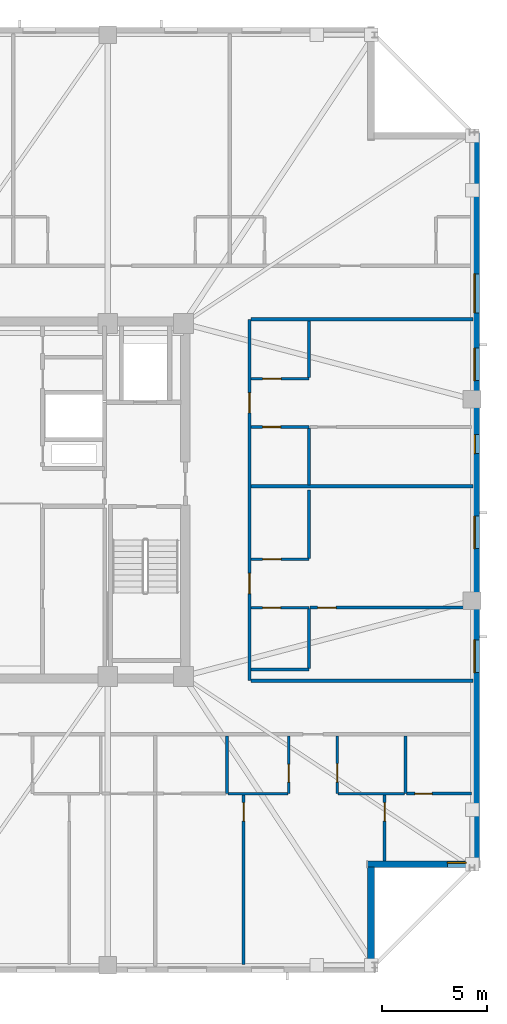
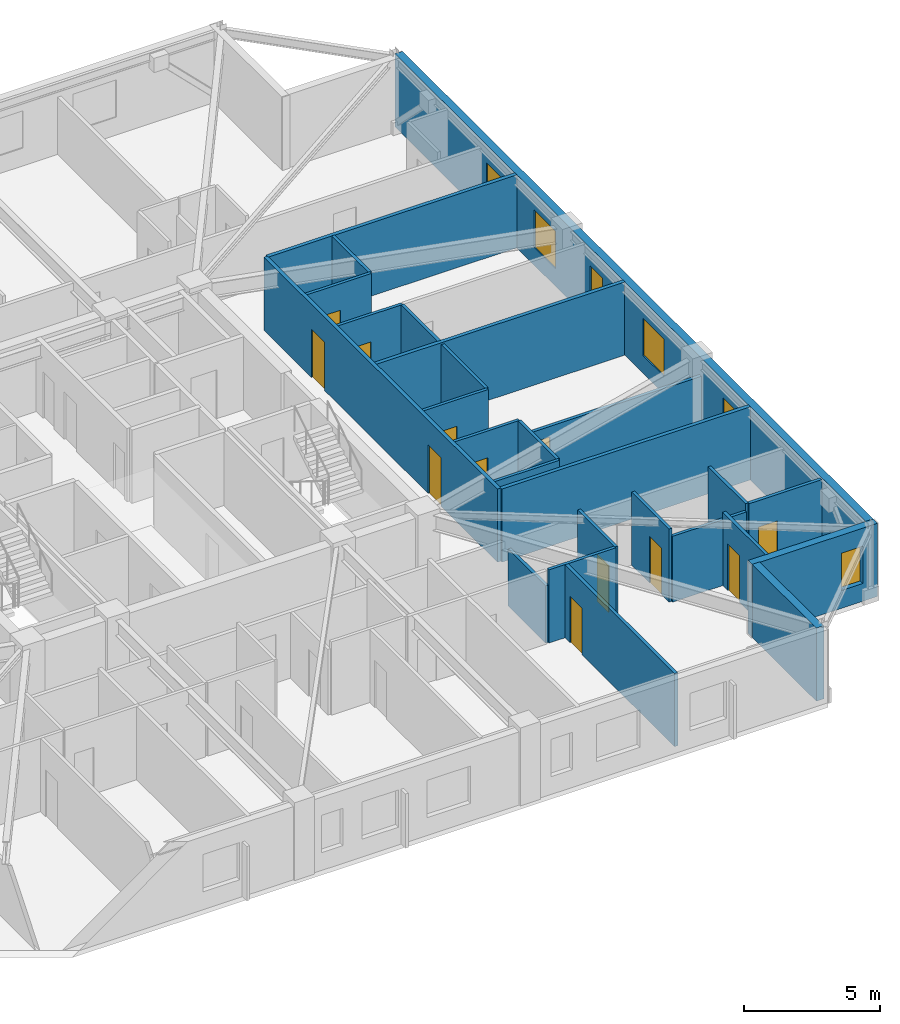
# One storey, part 10 of 16: 26 walls, 12 doors, 6 windows, 18 openings.
"""IFC4 building model written with IfcOpenShell, lengths in metres."""

from ifc_helpers import new_model, si_unit, direction, frame, frame_2d, origin, place, context, subcontext, project, spatial, rectangle, extrude, material, layer, layer_set, type_object, element, fill, save


model = new_model("IFC4")

# Units and contexts
model_context = context("Model", 3, precision=1e-05, world=origin(), true_north=direction((0.0, 1.0)))
body_context = subcontext(model_context, "Body", "Model", "MODEL_VIEW")
ifc_project = project(units=[si_unit("LENGTHUNIT", "METRE"), si_unit("AREAUNIT", "SQUARE_METRE"), si_unit("VOLUMEUNIT", "CUBIC_METRE"), si_unit("PLANEANGLEUNIT", "RADIAN"), si_unit("MASSUNIT", "GRAM", prefix="KILO")], contexts=[model_context])

# Site, building, storey
site_placement = place(None, origin())
site = spatial("IfcSite", under=ifc_project, at=site_placement, CompositionType="ELEMENT")
building_placement = place(site_placement, origin())
building = spatial("IfcBuilding", under=site, at=building_placement, Name="Cairnveth Concourse Tower", CompositionType="ELEMENT")
storey_placement = place(building_placement, frame((0.0, 0.0, 255.0)))
storey = spatial("IfcBuildingStorey", under=building, at=storey_placement, Name="L70", CompositionType="ELEMENT", Elevation=255.0)

# Wall, openings, doors
ifc_material_1 = material(Name="Gypsum Plasterboard Partition", Category="gypsum")
ifc_layer_1 = layer(ifc_material_1, 0.159912109375)
ifc_layer_set_1 = layer_set([ifc_layer_1], Name="Gypsum Plasterboard Partition")
wall_type_1 = type_object("IfcWallType", Name="ACOUSTIC PARTY WALL 180", PredefinedType="PARTITIONING", material=ifc_layer_set_1)
wall_1_placement = place(storey_placement, frame((63.550048828125, 30.39990234375, 0.0), z_axis=(0.0, 0.0, 1.0), x_axis=(0.0, 1.0, 0.0)))
wall_1 = element("IfcWall", 1, at=wall_1_placement, inside=storey, type_object=wall_type_1, Name="Interior Wall IW-L70-038", PredefinedType="PARTITIONING", context=body_context, shape_type="SweptSolid", body=[
    extrude(rectangle(XDim=17.2001953125, YDim=0.159912109375, at=frame_2d((8.60009765625, 0.0))), origin(), (0.0, 0.0, 1.0), 3.2900390625),
])
opening_1_placement = place(wall_1_placement, frame((4.14501953125, 0.0, 0.0)))
opening_1 = element("IfcOpeningElement", 2, at=opening_1_placement, cuts=wall_1, Name="Opening ID10", PredefinedType="OPENING", context=body_context, shape_type="SweptSolid", body=[
    extrude(rectangle(XDim=0.9599609375, YDim=2.179931640625, at=frame_2d((0.47998046875, 1.08984375))), frame((0.0, 0.08984375, 0.0), z_axis=(0.0, -1.0, 0.0), x_axis=(1.0, 0.0, 0.0)), (0.0, 0.0, 1.0), 0.179931640625),
])
opening_2_placement = place(wall_1_placement, frame((12.7451171875, 0.0, 0.0)))
opening_2 = element("IfcOpeningElement", 3, at=opening_2_placement, cuts=wall_1, Name="Opening ID10", PredefinedType="OPENING", context=body_context, shape_type="SweptSolid", body=[
    extrude(rectangle(XDim=0.9599609375, YDim=2.179931640625, at=frame_2d((0.47998046875, 1.08984375))), frame((0.0, 0.08984375, 0.0), z_axis=(0.0, -1.0, 0.0), x_axis=(1.0, 0.0, 0.0)), (0.0, 0.0, 1.0), 0.179931640625),
])
ifc_material_2 = material(Name="Solid Core Hardwood Timber Leaf", Category="wood")
door_type_1 = type_object("IfcDoorType", Name="FLAT ENTRANCE DOOR 960X2150", OperationType="NOTDEFINED", PredefinedType="DOOR", material=ifc_material_2)
door_1_placement = place(opening_1_placement, origin())
door_1 = element("IfcDoor", 4, at=door_1_placement, inside=storey, type_object=door_type_1, Name="Apartment L70E1 Entrance Door", OperationType="SINGLE_SWING_LEFT", OverallHeight=2.179931640625, OverallWidth=0.9599609375, PredefinedType="DOOR", context=body_context, shape_type="SweptSolid", body=[
    extrude(rectangle(XDim=0.9599609375, YDim=2.179931640625, at=frame_2d((0.47998046875, 1.08984375))), frame((0.0, 0.02490234375, 0.0), z_axis=(0.0, -1.0, 0.0), x_axis=(1.0, 0.0, 0.0)), (0.0, 0.0, 1.0), 0.050048828125),
])
fill(opening_1, door_1)
door_2_placement = place(opening_2_placement, origin())
door_2 = element("IfcDoor", 5, at=door_2_placement, inside=storey, type_object=door_type_1, Name="Apartment L70E2 Entrance Door", OperationType="SINGLE_SWING_LEFT", OverallHeight=2.179931640625, OverallWidth=0.9599609375, PredefinedType="DOOR", context=body_context, shape_type="SweptSolid", body=[
    extrude(rectangle(XDim=0.9599609375, YDim=2.179931640625, at=frame_2d((0.47998046875, 1.08984375))), frame((0.0, 0.02490234375, 0.0), z_axis=(0.0, -1.0, 0.0), x_axis=(1.0, 0.0, 0.0)), (0.0, 0.0, 1.0), 0.050048828125),
])
fill(opening_2, door_2)

# Walls
for number, where, z_axis, x_axis, name in (
    (6, (63.614990234375, 30.39990234375, 0.0), (0.0, 0.0, 1.0), (1.0, 0.0, 0.0), "Interior Wall IW-L70-041"),
    (7, (63.614990234375, 47.60009765625, 0.0), (0.0, 0.0, 1.0), (1.0, 0.0, 0.0), "Interior Wall IW-L70-042"),
):
    element("IfcWall", number, at=place(storey_placement, frame(where, z_axis=z_axis, x_axis=x_axis)), inside=storey, type_object=wall_type_1, Name=name, PredefinedType="PARTITIONING", context=body_context, shape_type="SweptSolid", body=[
        extrude(rectangle(XDim=10.580078125, YDim=0.159912109375, at=frame_2d((5.2900390625, 0.0))), origin(), (0.0, 0.0, 1.0), 3.2900390625),
    ])
wall_2_placement = place(storey_placement, frame((63.6298828125, 39.64990234375, 0.0), z_axis=(0.0, 0.0, 1.0), x_axis=(1.0, 0.0, 0.0)))
element("IfcWall", 8, at=wall_2_placement, inside=storey, type_object=wall_type_1, Name="Interior Wall IW-L70-104", PredefinedType="PARTITIONING", context=body_context, shape_type="SweptSolid", body=[
    extrude(rectangle(XDim=10.565185546875, YDim=0.159912109375, at=frame_2d((5.28271484375, 0.0))), origin(), (0.0, 0.0, 1.0), 3.2900390625),
])

# Wall, opening, door
ifc_layer_2 = layer(ifc_material_1, 0.139892578125)
ifc_layer_set_2 = layer_set([ifc_layer_2], Name="Gypsum Plasterboard Partition")
wall_type_2 = type_object("IfcWallType", Name="GYPSUM STUD PARTITION 140", PredefinedType="PARTITIONING", material=ifc_layer_set_2)
wall_3_placement = place(storey_placement, frame((63.267578125, 16.8798828125, 0.0), z_axis=(0.0, 0.0, 1.0), x_axis=(0.0, 1.0, 0.0)))
wall_3 = element("IfcWall", 9, at=wall_3_placement, inside=storey, type_object=wall_type_2, Name="Interior Wall IW-L70-070", PredefinedType="PARTITIONING", context=body_context, shape_type="SweptSolid", body=[
    extrude(rectangle(XDim=8.087646484375, YDim=0.139892578125, at=frame_2d((4.0439453125, 0.0))), origin(), (0.0, 0.0, 1.0), 3.2900390625),
])
opening_3_placement = place(wall_3_placement, frame((6.827392578125, 0.0, 0.0)))
opening_3 = element("IfcOpeningElement", 10, at=opening_3_placement, cuts=wall_3, Name="Opening ID18", PredefinedType="OPENING", context=body_context, shape_type="SweptSolid", body=[
    extrude(rectangle(XDim=0.8798828125, YDim=2.10009765625, at=frame_2d((0.43994140625, 1.050048828125))), frame((0.0, 0.079833984375, 0.0), z_axis=(0.0, -1.0, 0.0), x_axis=(1.0, 0.0, 0.0)), (0.0, 0.0, 1.0), 0.159912109375),
])
door_type_2 = type_object("IfcDoorType", Name="INTERIOR SINGLE DOOR 880X2100", OperationType="NOTDEFINED", PredefinedType="DOOR", material=ifc_material_2)
door_3_placement = place(opening_3_placement, origin())
door_3 = element("IfcDoor", 11, at=door_3_placement, inside=storey, type_object=door_type_2, Name="L70S3 Master Bedroom Door", OperationType="SINGLE_SWING_RIGHT", OverallHeight=2.10009765625, OverallWidth=0.8798828125, PredefinedType="DOOR", context=body_context, shape_type="SweptSolid", body=[
    extrude(rectangle(XDim=0.8798828125, YDim=2.10009765625, at=frame_2d((0.43994140625, 1.050048828125))), frame((0.0, 0.02490234375, 0.0), z_axis=(0.0, -1.0, 0.0), x_axis=(1.0, 0.0, 0.0)), (0.0, 0.0, 1.0), 0.050048828125),
])
fill(opening_3, door_3)

wall_4_placement = place(storey_placement, frame((69.97998046875, 21.804931640625, 0.0), z_axis=(0.0, 0.0, 1.0), x_axis=(0.0, 1.0, 0.0)))
wall_4 = element("IfcWall", 12, at=wall_4_placement, inside=storey, type_object=wall_type_2, Name="Interior Wall IW-L70-072", PredefinedType="PARTITIONING", context=body_context, shape_type="SweptSolid", body=[
    extrude(rectangle(XDim=3.16259765625, YDim=0.139892578125, at=frame_2d((1.581298828125, 0.0))), origin(), (0.0, 0.0, 1.0), 3.2900390625),
])
opening_4_placement = place(wall_4_placement, frame((1.902587890625, 0.0, 0.0)))
opening_4 = element("IfcOpeningElement", 13, at=opening_4_placement, cuts=wall_4, Name="Opening ID18", PredefinedType="OPENING", context=body_context, shape_type="SweptSolid", body=[
    extrude(rectangle(XDim=0.8798828125, YDim=2.10009765625, at=frame_2d((0.43994140625, 1.050048828125))), frame((0.0, 0.079833984375, 0.0), z_axis=(0.0, -1.0, 0.0), x_axis=(1.0, 0.0, 0.0)), (0.0, 0.0, 1.0), 0.159912109375),
])
door_4_placement = place(opening_4_placement, origin())
door_4 = element("IfcDoor", 14, at=door_4_placement, inside=storey, type_object=door_type_2, Name="L70S3 Bedroom 2 Door", OperationType="SINGLE_SWING_RIGHT", OverallHeight=2.10009765625, OverallWidth=0.8798828125, PredefinedType="DOOR", context=body_context, shape_type="SweptSolid", body=[
    extrude(rectangle(XDim=0.8798828125, YDim=2.10009765625, at=frame_2d((0.43994140625, 1.050048828125))), frame((0.0, 0.02490234375, 0.0), z_axis=(0.0, -1.0, 0.0), x_axis=(1.0, 0.0, 0.0)), (0.0, 0.0, 1.0), 0.050048828125),
])
fill(opening_4, door_4)

wall_5_placement = place(storey_placement, frame((71.023681640625, 25.017578125, 0.0), z_axis=(0.0, 0.0, 1.0), x_axis=(1.0, 0.0, 0.0)))
wall_5 = element("IfcWall", 15, at=wall_5_placement, inside=storey, type_object=wall_type_2, Name="Interior Wall IW-L70-073", PredefinedType="PARTITIONING", context=body_context, shape_type="SweptSolid", body=[
    extrude(rectangle(XDim=3.106201171875, YDim=0.139892578125, at=frame_2d((1.55322265625, 0.0))), origin(), (0.0, 0.0, 1.0), 3.2900390625),
])
opening_5_placement = place(wall_5_placement, frame((0.39990234375, 0.0, 0.0)))
opening_5 = element("IfcOpeningElement", 16, at=opening_5_placement, cuts=wall_5, Name="Opening ID22", PredefinedType="OPENING", context=body_context, shape_type="SweptSolid", body=[
    extrude(rectangle(XDim=0.820068359375, YDim=2.10009765625, at=frame_2d((0.41015625, 1.050048828125))), frame((0.0, 0.079833984375, 0.0), z_axis=(0.0, -1.0, 0.0), x_axis=(1.0, 0.0, 0.0)), (0.0, 0.0, 1.0), 0.159912109375),
])
door_type_3 = type_object("IfcDoorType", Name="INTERIOR WC DOOR 820X2100", OperationType="NOTDEFINED", PredefinedType="DOOR", material=ifc_material_2)
door_5_placement = place(opening_5_placement, origin())
door_5 = element("IfcDoor", 17, at=door_5_placement, inside=storey, type_object=door_type_3, Name="L70S3 Utility Door", OperationType="SINGLE_SWING_LEFT", OverallHeight=2.10009765625, OverallWidth=0.820068359375, PredefinedType="DOOR", context=body_context, shape_type="SweptSolid", body=[
    extrude(rectangle(XDim=0.820068359375, YDim=2.10009765625, at=frame_2d((0.41015625, 1.050048828125))), frame((0.0, 0.02490234375, 0.0), z_axis=(0.0, -1.0, 0.0), x_axis=(1.0, 0.0, 0.0)), (0.0, 0.0, 1.0), 0.050048828125),
])
fill(opening_5, door_5)

wall_6_placement = place(storey_placement, frame((66.429931640625, 33.875, 0.0), z_axis=(0.0, 0.0, 1.0), x_axis=(1.0, 0.0, 0.0)))
wall_6 = element("IfcWall", 18, at=wall_6_placement, inside=storey, type_object=wall_type_2, Name="Interior Wall IW-L70-110", PredefinedType="PARTITIONING", context=body_context, shape_type="SweptSolid", body=[
    extrude(rectangle(XDim=7.690185546875, YDim=0.139892578125, at=frame_2d((3.84521484375, 0.0))), origin(), (0.0, 0.0, 1.0), 2.572998046875),
])
opening_6_placement = place(wall_6_placement, frame((0.360107421875, 0.0, 0.0)))
opening_6 = element("IfcOpeningElement", 19, at=opening_6_placement, cuts=wall_6, Name="Opening ID18", PredefinedType="OPENING", context=body_context, shape_type="SweptSolid", body=[
    extrude(rectangle(XDim=0.8798828125, YDim=2.10009765625, at=frame_2d((0.43994140625, 1.050048828125))), frame((0.0, 0.079833984375, 0.0), z_axis=(0.0, -1.0, 0.0), x_axis=(1.0, 0.0, 0.0)), (0.0, 0.0, 1.0), 0.159912109375),
])
door_6_placement = place(opening_6_placement, origin())
door_6 = element("IfcDoor", 20, at=door_6_placement, inside=storey, type_object=door_type_2, Name="L70E1 Master Bedroom Door", OperationType="SINGLE_SWING_RIGHT", OverallHeight=2.10009765625, OverallWidth=0.8798828125, PredefinedType="DOOR", context=body_context, shape_type="SweptSolid", body=[
    extrude(rectangle(XDim=0.8798828125, YDim=2.10009765625, at=frame_2d((0.43994140625, 1.050048828125))), frame((0.0, 0.02490234375, 0.0), z_axis=(0.0, -1.0, 0.0), x_axis=(1.0, 0.0, 0.0)), (0.0, 0.0, 1.0), 0.050048828125),
])
fill(opening_6, door_6)

# Wall
ifc_layer_3 = layer(ifc_material_1, 0.1298828125)
ifc_layer_set_3 = layer_set([ifc_layer_3], Name="Gypsum Plasterboard Partition")
wall_type_3 = type_object("IfcWallType", Name="WET AREA PARTITION 140", PredefinedType="PLUMBINGWALL", material=ifc_layer_set_3)
wall_7_placement = place(storey_placement, frame((62.4736328125, 25.017578125, 0.0), z_axis=(0.0, 0.0, 1.0), x_axis=(0.0, 1.0, 0.0)))
element("IfcWall", 21, at=wall_7_placement, inside=storey, type_object=wall_type_3, Name="Interior Wall IW-L70-064", PredefinedType="PLUMBINGWALL", context=body_context, shape_type="SweptSolid", body=[
    extrude(rectangle(XDim=2.75, YDim=0.1298828125, at=frame_2d((1.375, 0.0))), origin(), (0.0, 0.0, 1.0), 2.572998046875),
])

# Wall, opening, door
wall_8_placement = place(storey_placement, frame((65.423583984375, 25.017578125, 0.0), z_axis=(0.0, 0.0, 1.0), x_axis=(0.0, 1.0, 0.0)))
wall_8 = element("IfcWall", 22, at=wall_8_placement, inside=storey, type_object=wall_type_3, Name="Interior Wall IW-L70-065", PredefinedType="PLUMBINGWALL", context=body_context, shape_type="SweptSolid", body=[
    extrude(rectangle(XDim=2.75, YDim=0.1298828125, at=frame_2d((1.375, 0.0))), origin(), (0.0, 0.0, 1.0), 3.2900390625),
])
opening_7_placement = place(wall_8_placement, frame((0.550048828125, 0.0, 0.0)))
opening_7 = element("IfcOpeningElement", 23, at=opening_7_placement, cuts=wall_8, Name="Opening ID21", PredefinedType="OPENING", context=body_context, shape_type="SweptSolid", body=[
    extrude(rectangle(XDim=0.85009765625, YDim=2.080078125, at=frame_2d((0.425048828125, 1.0400390625))), frame((0.0, 0.074951171875, 0.0), z_axis=(0.0, -1.0, 0.0), x_axis=(1.0, 0.0, 0.0)), (0.0, 0.0, 1.0), 0.14990234375),
])
door_type_4 = type_object("IfcDoorType", Name="INTERIOR WC DOOR 850X2100", OperationType="NOTDEFINED", PredefinedType="DOOR", material=ifc_material_2)
door_7_placement = place(opening_7_placement, origin())
door_7 = element("IfcDoor", 24, at=door_7_placement, inside=storey, type_object=door_type_4, Name="L70S3 Bathroom Door", OperationType="SINGLE_SWING_LEFT", OverallHeight=2.080078125, OverallWidth=0.85009765625, PredefinedType="DOOR", context=body_context, shape_type="SweptSolid", body=[
    extrude(rectangle(XDim=0.85009765625, YDim=2.080078125, at=frame_2d((0.425048828125, 1.0400390625))), frame((0.0, 0.02490234375, 0.0), z_axis=(0.0, -1.0, 0.0), x_axis=(1.0, 0.0, 0.0)), (0.0, 0.0, 1.0), 0.050048828125),
])
fill(opening_7, door_7)

# Walls
wall_9_placement = place(storey_placement, frame((62.523681640625, 25.017578125, 0.0), z_axis=(0.0, 0.0, 1.0), x_axis=(1.0, 0.0, 0.0)))
element("IfcWall", 25, at=wall_9_placement, inside=storey, type_object=wall_type_3, Name="Interior Wall IW-L70-066", PredefinedType="PLUMBINGWALL", context=body_context, shape_type="SweptSolid", body=[
    extrude(rectangle(XDim=2.85009765625, YDim=0.1298828125, at=frame_2d((1.425048828125, 0.0))), origin(), (0.0, 0.0, 1.0), 3.2900390625),
])
wall_10_placement = place(storey_placement, frame((70.973876953125, 25.017578125, 0.0), z_axis=(0.0, 0.0, 1.0), x_axis=(0.0, 1.0, 0.0)))
element("IfcWall", 26, at=wall_10_placement, inside=storey, type_object=wall_type_3, Name="Interior Wall IW-L70-067", PredefinedType="PLUMBINGWALL", context=body_context, shape_type="SweptSolid", body=[
    extrude(rectangle(XDim=2.75, YDim=0.1298828125, at=frame_2d((1.375, 0.0))), origin(), (0.0, 0.0, 1.0), 3.2900390625),
])

# Wall, opening, door
wall_11_placement = place(storey_placement, frame((67.723876953125, 25.017578125, 0.0), z_axis=(0.0, 0.0, 1.0), x_axis=(0.0, 1.0, 0.0)))
wall_11 = element("IfcWall", 27, at=wall_11_placement, inside=storey, type_object=wall_type_3, Name="Interior Wall IW-L70-068", PredefinedType="PLUMBINGWALL", context=body_context, shape_type="SweptSolid", body=[
    extrude(rectangle(XDim=2.75, YDim=0.1298828125, at=frame_2d((1.375, 0.0))), origin(), (0.0, 0.0, 1.0), 3.2900390625),
])
opening_8_placement = place(wall_11_placement, frame((0.550048828125, 0.0, 0.0)))
opening_8 = element("IfcOpeningElement", 28, at=opening_8_placement, cuts=wall_11, Name="Opening ID18", PredefinedType="OPENING", context=body_context, shape_type="SweptSolid", body=[
    extrude(rectangle(XDim=0.8798828125, YDim=2.10009765625, at=frame_2d((0.43994140625, 1.050048828125))), frame((0.0, 0.074951171875, 0.0), z_axis=(0.0, -1.0, 0.0), x_axis=(1.0, 0.0, 0.0)), (0.0, 0.0, 1.0), 0.14990234375),
])
door_8_placement = place(opening_8_placement, origin())
door_8 = element("IfcDoor", 29, at=door_8_placement, inside=storey, type_object=door_type_2, Name="L70S3 Kitchen Door", OperationType="SINGLE_SWING_RIGHT", OverallHeight=2.10009765625, OverallWidth=0.8798828125, PredefinedType="DOOR", context=body_context, shape_type="SweptSolid", body=[
    extrude(rectangle(XDim=0.8798828125, YDim=2.10009765625, at=frame_2d((0.43994140625, 1.050048828125))), frame((0.0, 0.02490234375, 0.0), z_axis=(0.0, -1.0, 0.0), x_axis=(1.0, 0.0, 0.0)), (0.0, 0.0, 1.0), 0.050048828125),
])
fill(opening_8, door_8)

# Walls
wall_12_placement = place(storey_placement, frame((67.773681640625, 25.017578125, 0.0), z_axis=(0.0, 0.0, 1.0), x_axis=(1.0, 0.0, 0.0)))
element("IfcWall", 30, at=wall_12_placement, inside=storey, type_object=wall_type_3, Name="Interior Wall IW-L70-069", PredefinedType="PLUMBINGWALL", context=body_context, shape_type="SweptSolid", body=[
    extrude(rectangle(XDim=3.150146484375, YDim=0.1298828125, at=frame_2d((1.5751953125, 0.0))), origin(), (0.0, 0.0, 1.0), 2.9580078125),
])
wall_13_placement = place(storey_placement, frame((63.6298828125, 30.925048828125, 0.0), z_axis=(0.0, 0.0, 1.0), x_axis=(1.0, 0.0, 0.0)))
element("IfcWall", 31, at=wall_13_placement, inside=storey, type_object=wall_type_3, Name="Interior Wall IW-L70-105", PredefinedType="PLUMBINGWALL", context=body_context, shape_type="SweptSolid", body=[
    extrude(rectangle(XDim=2.75, YDim=0.1298828125, at=frame_2d((1.375, 0.0))), origin(), (0.0, 0.0, 1.0), 3.2900390625),
])

# Wall, opening, door
wall_14_placement = place(storey_placement, frame((63.6298828125, 33.875, 0.0), z_axis=(0.0, 0.0, 1.0), x_axis=(1.0, 0.0, 0.0)))
wall_14 = element("IfcWall", 32, at=wall_14_placement, inside=storey, type_object=wall_type_3, Name="Interior Wall IW-L70-106", PredefinedType="PLUMBINGWALL", context=body_context, shape_type="SweptSolid", body=[
    extrude(rectangle(XDim=2.75, YDim=0.1298828125, at=frame_2d((1.375, 0.0))), origin(), (0.0, 0.0, 1.0), 3.2900390625),
])
opening_9_placement = place(wall_14_placement, frame((0.550048828125, 0.0, 0.0)))
opening_9 = element("IfcOpeningElement", 33, at=opening_9_placement, cuts=wall_14, Name="Opening ID21", PredefinedType="OPENING", context=body_context, shape_type="SweptSolid", body=[
    extrude(rectangle(XDim=0.85009765625, YDim=2.080078125, at=frame_2d((0.425048828125, 1.0400390625))), frame((0.0, 0.074951171875, 0.0), z_axis=(0.0, -1.0, 0.0), x_axis=(1.0, 0.0, 0.0)), (0.0, 0.0, 1.0), 0.14990234375),
])
door_9_placement = place(opening_9_placement, origin())
door_9 = element("IfcDoor", 34, at=door_9_placement, inside=storey, type_object=door_type_4, Name="L70E1 Bathroom Door", OperationType="SINGLE_SWING_RIGHT", OverallHeight=2.080078125, OverallWidth=0.85009765625, PredefinedType="DOOR", context=body_context, shape_type="SweptSolid", body=[
    extrude(rectangle(XDim=0.85009765625, YDim=2.080078125, at=frame_2d((0.425048828125, 1.0400390625))), frame((0.0, 0.02490234375, 0.0), z_axis=(0.0, -1.0, 0.0), x_axis=(1.0, 0.0, 0.0)), (0.0, 0.0, 1.0), 0.050048828125),
])
fill(opening_9, door_9)

# Wall
wall_15_placement = place(storey_placement, frame((66.3798828125, 30.97509765625, 0.0), z_axis=(0.0, 0.0, 1.0), x_axis=(0.0, 1.0, 0.0)))
element("IfcWall", 35, at=wall_15_placement, inside=storey, type_object=wall_type_3, Name="Interior Wall IW-L70-107", PredefinedType="PLUMBINGWALL", context=body_context, shape_type="SweptSolid", body=[
    extrude(rectangle(XDim=2.849853515625, YDim=0.1298828125, at=frame_2d((1.4248046875, 0.0))), origin(), (0.0, 0.0, 1.0), 3.2900390625),
])

# Wall, opening, door
wall_16_placement = place(storey_placement, frame((63.6298828125, 36.175048828125, 0.0), z_axis=(0.0, 0.0, 1.0), x_axis=(1.0, 0.0, 0.0)))
wall_16 = element("IfcWall", 36, at=wall_16_placement, inside=storey, type_object=wall_type_3, Name="Interior Wall IW-L70-108", PredefinedType="PLUMBINGWALL", context=body_context, shape_type="SweptSolid", body=[
    extrude(rectangle(XDim=2.75, YDim=0.1298828125, at=frame_2d((1.375, 0.0))), origin(), (0.0, 0.0, 1.0), 3.2900390625),
])
opening_10_placement = place(wall_16_placement, frame((0.550048828125, 0.0, 0.0)))
opening_10 = element("IfcOpeningElement", 37, at=opening_10_placement, cuts=wall_16, Name="Opening ID18", PredefinedType="OPENING", context=body_context, shape_type="SweptSolid", body=[
    extrude(rectangle(XDim=0.8798828125, YDim=2.10009765625, at=frame_2d((0.43994140625, 1.050048828125))), frame((0.0, 0.074951171875, 0.0), z_axis=(0.0, -1.0, 0.0), x_axis=(1.0, 0.0, 0.0)), (0.0, 0.0, 1.0), 0.14990234375),
])
door_10_placement = place(opening_10_placement, origin())
door_10 = element("IfcDoor", 38, at=door_10_placement, inside=storey, type_object=door_type_2, Name="L70E1 Kitchen Door", OperationType="SINGLE_SWING_LEFT", OverallHeight=2.10009765625, OverallWidth=0.8798828125, PredefinedType="DOOR", context=body_context, shape_type="SweptSolid", body=[
    extrude(rectangle(XDim=0.8798828125, YDim=2.10009765625, at=frame_2d((0.43994140625, 1.050048828125))), frame((0.0, 0.02490234375, 0.0), z_axis=(0.0, -1.0, 0.0), x_axis=(1.0, 0.0, 0.0)), (0.0, 0.0, 1.0), 0.050048828125),
])
fill(opening_10, door_10)

# Wall
wall_17_placement = place(storey_placement, frame((66.3798828125, 36.22509765625, 0.0), z_axis=(0.0, 0.0, 1.0), x_axis=(0.0, 1.0, 0.0)))
element("IfcWall", 39, at=wall_17_placement, inside=storey, type_object=wall_type_3, Name="Interior Wall IW-L70-109", PredefinedType="PLUMBINGWALL", context=body_context, shape_type="SweptSolid", body=[
    extrude(rectangle(XDim=3.239990234375, YDim=0.1298828125, at=frame_2d((1.6201171875, 0.0))), origin(), (0.0, 0.0, 1.0), 3.2900390625),
])

# Wall, opening, door
wall_18_placement = place(storey_placement, frame((63.6298828125, 42.47509765625, 0.0), z_axis=(0.0, 0.0, 1.0), x_axis=(1.0, 0.0, 0.0)))
wall_18 = element("IfcWall", 40, at=wall_18_placement, inside=storey, type_object=wall_type_3, Name="Interior Wall IW-L70-111", PredefinedType="PLUMBINGWALL", context=body_context, shape_type="SweptSolid", body=[
    extrude(rectangle(XDim=2.75, YDim=0.1298828125, at=frame_2d((1.375, 0.0))), origin(), (0.0, 0.0, 1.0), 3.2900390625),
])
opening_11_placement = place(wall_18_placement, frame((0.550048828125, 0.0, 0.0)))
opening_11 = element("IfcOpeningElement", 41, at=opening_11_placement, cuts=wall_18, Name="Opening ID21", PredefinedType="OPENING", context=body_context, shape_type="SweptSolid", body=[
    extrude(rectangle(XDim=0.85009765625, YDim=2.080078125, at=frame_2d((0.425048828125, 1.0400390625))), frame((0.0, 0.074951171875, 0.0), z_axis=(0.0, -1.0, 0.0), x_axis=(1.0, 0.0, 0.0)), (0.0, 0.0, 1.0), 0.14990234375),
])
door_11_placement = place(opening_11_placement, origin())
door_11 = element("IfcDoor", 42, at=door_11_placement, inside=storey, type_object=door_type_4, Name="L70E2 Bathroom Door", OperationType="SINGLE_SWING_RIGHT", OverallHeight=2.080078125, OverallWidth=0.85009765625, PredefinedType="DOOR", context=body_context, shape_type="SweptSolid", body=[
    extrude(rectangle(XDim=0.85009765625, YDim=2.080078125, at=frame_2d((0.425048828125, 1.0400390625))), frame((0.0, 0.02490234375, 0.0), z_axis=(0.0, -1.0, 0.0), x_axis=(1.0, 0.0, 0.0)), (0.0, 0.0, 1.0), 0.050048828125),
])
fill(opening_11, door_11)

# Wall
wall_19_placement = place(storey_placement, frame((66.3798828125, 39.715087890625, 0.0), z_axis=(0.0, 0.0, 1.0), x_axis=(0.0, 1.0, 0.0)))
element("IfcWall", 43, at=wall_19_placement, inside=storey, type_object=wall_type_3, Name="Interior Wall IW-L70-112", PredefinedType="PLUMBINGWALL", context=body_context, shape_type="SweptSolid", body=[
    extrude(rectangle(XDim=2.7099609375, YDim=0.1298828125, at=frame_2d((1.35498046875, 0.0))), origin(), (0.0, 0.0, 1.0), 3.2900390625),
])

# Wall, opening, door
wall_20_placement = place(storey_placement, frame((63.6298828125, 44.77490234375, 0.0), z_axis=(0.0, 0.0, 1.0), x_axis=(1.0, 0.0, 0.0)))
wall_20 = element("IfcWall", 44, at=wall_20_placement, inside=storey, type_object=wall_type_3, Name="Interior Wall IW-L70-113", PredefinedType="PLUMBINGWALL", context=body_context, shape_type="SweptSolid", body=[
    extrude(rectangle(XDim=2.75, YDim=0.1298828125, at=frame_2d((1.375, 0.0))), origin(), (0.0, 0.0, 1.0), 3.2900390625),
])
opening_12_placement = place(wall_20_placement, frame((0.550048828125, 0.0, 0.0)))
opening_12 = element("IfcOpeningElement", 45, at=opening_12_placement, cuts=wall_20, Name="Opening ID18", PredefinedType="OPENING", context=body_context, shape_type="SweptSolid", body=[
    extrude(rectangle(XDim=0.8798828125, YDim=2.10009765625, at=frame_2d((0.43994140625, 1.050048828125))), frame((0.0, 0.074951171875, 0.0), z_axis=(0.0, -1.0, 0.0), x_axis=(1.0, 0.0, 0.0)), (0.0, 0.0, 1.0), 0.14990234375),
])
door_12_placement = place(opening_12_placement, origin())
door_12 = element("IfcDoor", 46, at=door_12_placement, inside=storey, type_object=door_type_2, Name="L70E2 Kitchen Door", OperationType="SINGLE_SWING_LEFT", OverallHeight=2.10009765625, OverallWidth=0.8798828125, PredefinedType="DOOR", context=body_context, shape_type="SweptSolid", body=[
    extrude(rectangle(XDim=0.8798828125, YDim=2.10009765625, at=frame_2d((0.43994140625, 1.050048828125))), frame((0.0, 0.02490234375, 0.0), z_axis=(0.0, -1.0, 0.0), x_axis=(1.0, 0.0, 0.0)), (0.0, 0.0, 1.0), 0.050048828125),
])
fill(opening_12, door_12)

# Wall
wall_21_placement = place(storey_placement, frame((66.3798828125, 44.824951171875, 0.0), z_axis=(0.0, 0.0, 1.0), x_axis=(0.0, 1.0, 0.0)))
element("IfcWall", 47, at=wall_21_placement, inside=storey, type_object=wall_type_3, Name="Interior Wall IW-L70-114", PredefinedType="PLUMBINGWALL", context=body_context, shape_type="SweptSolid", body=[
    extrude(rectangle(XDim=2.7099609375, YDim=0.1298828125, at=frame_2d((1.35498046875, 0.0))), origin(), (0.0, 0.0, 1.0), 3.2900390625),
])

# Wall, openings, windows
ifc_material_3 = material(Name="Melbourne Buff Fired Clay Brick Masonry", Category="masonry")
ifc_layer_4 = layer(ifc_material_3, 0.320068359375)
ifc_layer_set_4 = layer_set([ifc_layer_4], Name="Melbourne Buff Fired Clay Brick Masonry")
wall_type_4 = type_object("IfcWallType", Name="ZONE 3 BRICK PIER SPANDREL WALL 320", PredefinedType="SOLIDWALL", material=ifc_layer_set_4)
wall_22_placement = place(storey_placement, frame((74.340087890625, 56.5, 0.0), z_axis=(0.0, 0.0, 1.0), x_axis=(0.0, -1.0, 0.0)))
wall_22 = element("IfcWall", 48, at=wall_22_placement, inside=storey, type_object=wall_type_4, Name="Exterior Wall EW-L70-S06", PredefinedType="SOLIDWALL", context=body_context, shape_type="SweptSolid", body=[
    extrude(rectangle(XDim=34.701904296875, YDim=0.320068359375, at=frame_2d((17.35107421875, 0.0))), origin(), (0.0, 0.0, 1.0), 3.2900390625),
])
opening_13_placement = place(wall_22_placement, frame((6.73779296875, 0.0, 0.800048828125)))
opening_13 = element("IfcOpeningElement", 49, at=opening_13_placement, cuts=wall_22, Name="Opening W08", PredefinedType="OPENING", context=body_context, shape_type="SweptSolid", body=[
    extrude(rectangle(XDim=1.85009765625, YDim=1.677978515625, at=frame_2d((0.925048828125, 0.8388671875))), frame((0.0, 0.169921875, 0.0), z_axis=(0.0, -1.0, 0.0), x_axis=(1.0, 0.0, 0.0)), (0.0, 0.0, 1.0), 0.340087890625),
])
opening_14_placement = place(wall_22_placement, frame((10.26318359375, 0.0, 0.800048828125)))
opening_14 = element("IfcOpeningElement", 50, at=opening_14_placement, cuts=wall_22, Name="Opening W07", PredefinedType="OPENING", context=body_context, shape_type="SweptSolid", body=[
    extrude(rectangle(XDim=1.550048828125, YDim=1.677978515625, at=frame_2d((0.77490234375, 0.8388671875))), frame((0.0, 0.169921875, 0.0), z_axis=(0.0, -1.0, 0.0), x_axis=(1.0, 0.0, 0.0)), (0.0, 0.0, 1.0), 0.340087890625),
])
opening_15_placement = place(wall_22_placement, frame((18.263671875, 0.0, 0.800048828125)))
opening_15 = element("IfcOpeningElement", 51, at=opening_15_placement, cuts=wall_22, Name="Opening W07", PredefinedType="OPENING", context=body_context, shape_type="SweptSolid", body=[
    extrude(rectangle(XDim=1.550048828125, YDim=1.677978515625, at=frame_2d((0.77490234375, 0.8388671875))), frame((0.0, 0.169921875, 0.0), z_axis=(0.0, -1.0, 0.0), x_axis=(1.0, 0.0, 0.0)), (0.0, 0.0, 1.0), 0.340087890625),
])
opening_16_placement = place(wall_22_placement, frame((24.1640625, 0.0, 0.800048828125)))
opening_16 = element("IfcOpeningElement", 52, at=opening_16_placement, cuts=wall_22, Name="Opening W07", PredefinedType="OPENING", context=body_context, shape_type="SweptSolid", body=[
    extrude(rectangle(XDim=1.550048828125, YDim=1.677978515625, at=frame_2d((0.77490234375, 0.8388671875))), frame((0.0, 0.169921875, 0.0), z_axis=(0.0, -1.0, 0.0), x_axis=(1.0, 0.0, 0.0)), (0.0, 0.0, 1.0), 0.340087890625),
])
opening_17_placement = place(wall_22_placement, frame((14.389892578125, 0.0, 0.800048828125)))
opening_17 = element("IfcOpeningElement", 53, at=opening_17_placement, cuts=wall_22, Name="Opening W13", PredefinedType="OPENING", context=body_context, shape_type="SweptSolid", body=[
    extrude(rectangle(XDim=0.89990234375, YDim=1.677978515625, at=frame_2d((0.449951171875, 0.8388671875))), frame((0.0, 0.169921875, 0.0), z_axis=(0.0, -1.0, 0.0), x_axis=(1.0, 0.0, 0.0)), (0.0, 0.0, 1.0), 0.340087890625),
])
ifc_material_4 = material(Name="Double Glazed Low-E Clear Glass", Category="glass")
window_type_1 = type_object("IfcWindowType", Name="DEEP-SET APARTMENT LIVING WINDOW 1850X1850", PartitioningType="DOUBLE_PANEL_VERTICAL", PredefinedType="WINDOW", material=ifc_material_4)
window_1_placement = place(opening_13_placement, origin())
window_1 = element("IfcWindow", 54, at=window_1_placement, inside=storey, type_object=window_type_1, Name="Gothic Lancet Window L70-6-2", OverallHeight=1.677978515625, OverallWidth=1.85009765625, PartitioningType="SINGLE_PANEL", PredefinedType="WINDOW", context=body_context, shape_type="SweptSolid", body=[
    extrude(rectangle(XDim=1.85009765625, YDim=1.677978515625, at=frame_2d((0.925048828125, 0.8388671875))), frame((0.0, -0.050048828125, 0.0), z_axis=(0.0, -1.0, 0.0), x_axis=(1.0, 0.0, 0.0)), (0.0, 0.0, 1.0), 0.06005859375),
])
fill(opening_13, window_1)
window_type_2 = type_object("IfcWindowType", Name="DEEP-SET APARTMENT WINDOW 1550X1800", PartitioningType="DOUBLE_PANEL_VERTICAL", PredefinedType="WINDOW", material=ifc_material_4)
window_2_placement = place(opening_14_placement, origin())
window_2 = element("IfcWindow", 55, at=window_2_placement, inside=storey, type_object=window_type_2, Name="Gothic Lancet Window L70-6-3", OverallHeight=1.677978515625, OverallWidth=1.550048828125, PartitioningType="SINGLE_PANEL", PredefinedType="WINDOW", context=body_context, shape_type="SweptSolid", body=[
    extrude(rectangle(XDim=1.550048828125, YDim=1.677978515625, at=frame_2d((0.77490234375, 0.8388671875))), frame((0.0, -0.050048828125, 0.0), z_axis=(0.0, -1.0, 0.0), x_axis=(1.0, 0.0, 0.0)), (0.0, 0.0, 1.0), 0.06005859375),
])
fill(opening_14, window_2)
window_3_placement = place(opening_15_placement, origin())
window_3 = element("IfcWindow", 56, at=window_3_placement, inside=storey, type_object=window_type_2, Name="Gothic Lancet Window L70-6-5", OverallHeight=1.677978515625, OverallWidth=1.550048828125, PartitioningType="SINGLE_PANEL", PredefinedType="WINDOW", context=body_context, shape_type="SweptSolid", body=[
    extrude(rectangle(XDim=1.550048828125, YDim=1.677978515625, at=frame_2d((0.77490234375, 0.8388671875))), frame((0.0, -0.050048828125, 0.0), z_axis=(0.0, -1.0, 0.0), x_axis=(1.0, 0.0, 0.0)), (0.0, 0.0, 1.0), 0.06005859375),
])
fill(opening_15, window_3)
window_4_placement = place(opening_16_placement, origin())
window_4 = element("IfcWindow", 57, at=window_4_placement, inside=storey, type_object=window_type_2, Name="Gothic Lancet Window L70-6-7", OverallHeight=1.677978515625, OverallWidth=1.550048828125, PartitioningType="SINGLE_PANEL", PredefinedType="WINDOW", context=body_context, shape_type="SweptSolid", body=[
    extrude(rectangle(XDim=1.550048828125, YDim=1.677978515625, at=frame_2d((0.77490234375, 0.8388671875))), frame((0.0, -0.050048828125, 0.0), z_axis=(0.0, -1.0, 0.0), x_axis=(1.0, 0.0, 0.0)), (0.0, 0.0, 1.0), 0.06005859375),
])
fill(opening_16, window_4)
window_type_3 = type_object("IfcWindowType", Name="DEEP-SET BEDROOM LANCET WINDOW 900X1750", PartitioningType="DOUBLE_PANEL_VERTICAL", PredefinedType="WINDOW", material=ifc_material_4)
window_5_placement = place(opening_17_placement, origin())
window_5 = element("IfcWindow", 58, at=window_5_placement, inside=storey, type_object=window_type_3, Name="Dwelling Lancet Window L70-DW5", OverallHeight=1.677978515625, OverallWidth=0.89990234375, PartitioningType="SINGLE_PANEL", PredefinedType="WINDOW", context=body_context, shape_type="SweptSolid", body=[
    extrude(rectangle(XDim=0.89990234375, YDim=1.677978515625, at=frame_2d((0.449951171875, 0.8388671875))), frame((0.0, -0.0400390625, 0.0), z_axis=(0.0, -1.0, 0.0), x_axis=(1.0, 0.0, 0.0)), (0.0, 0.0, 1.0), 0.06005859375),
])
fill(opening_17, window_5)

# Wall, opening, window
wall_23_placement = place(storey_placement, frame((74.5, 21.659912109375, 0.0), z_axis=(0.0, 0.0, 1.0), x_axis=(-1.0, 0.0, 0.0)))
wall_23 = element("IfcWall", 59, at=wall_23_placement, inside=storey, type_object=wall_type_4, Name="Exterior Wall EW-L70-S07", PredefinedType="SOLIDWALL", context=body_context, shape_type="SweptSolid", body=[
    extrude(rectangle(XDim=5.320068359375, YDim=0.320068359375, at=frame_2d((2.66015625, 0.0))), origin(), (0.0, 0.0, 1.0), 3.2900390625),
])
opening_18_placement = place(wall_23_placement, frame((0.6298828125, 0.0, 0.800048828125)))
opening_18 = element("IfcOpeningElement", 60, at=opening_18_placement, cuts=wall_23, Name="Opening W13", PredefinedType="OPENING", context=body_context, shape_type="SweptSolid", body=[
    extrude(rectangle(XDim=0.89990234375, YDim=1.677978515625, at=frame_2d((0.449951171875, 0.8388671875))), frame((0.0, 0.169921875, 0.0), z_axis=(0.0, -1.0, 0.0), x_axis=(1.0, 0.0, 0.0)), (0.0, 0.0, 1.0), 0.340087890625),
])
window_6_placement = place(opening_18_placement, origin())
window_6 = element("IfcWindow", 61, at=window_6_placement, inside=storey, type_object=window_type_3, Name="Dwelling Lancet Window L70-DW4", OverallHeight=1.677978515625, OverallWidth=0.89990234375, PartitioningType="SINGLE_PANEL", PredefinedType="WINDOW", context=body_context, shape_type="SweptSolid", body=[
    extrude(rectangle(XDim=0.89990234375, YDim=1.677978515625, at=frame_2d((0.449951171875, 0.8388671875))), frame((0.0, -0.0400390625, 0.0), z_axis=(0.0, -1.0, 0.0), x_axis=(1.0, 0.0, 0.0)), (0.0, 0.0, 1.0), 0.06005859375),
])
fill(opening_18, window_6)

# Wall
wall_24_placement = place(storey_placement, frame((69.340087890625, 21.52197265625, 0.0), z_axis=(0.0, 0.0, 1.0), x_axis=(0.0, -1.0, 0.0)))
element("IfcWall", 62, at=wall_24_placement, inside=storey, type_object=wall_type_4, Name="Exterior Wall EW-L70-S08", PredefinedType="SOLIDWALL", context=body_context, shape_type="SweptSolid", body=[
    extrude(rectangle(XDim=4.723876953125, YDim=0.320068359375, at=frame_2d((2.36181640625, 0.0))), origin(), (0.0, 0.0, 1.0), 3.2900390625),
])

save(model, "model.ifc")
